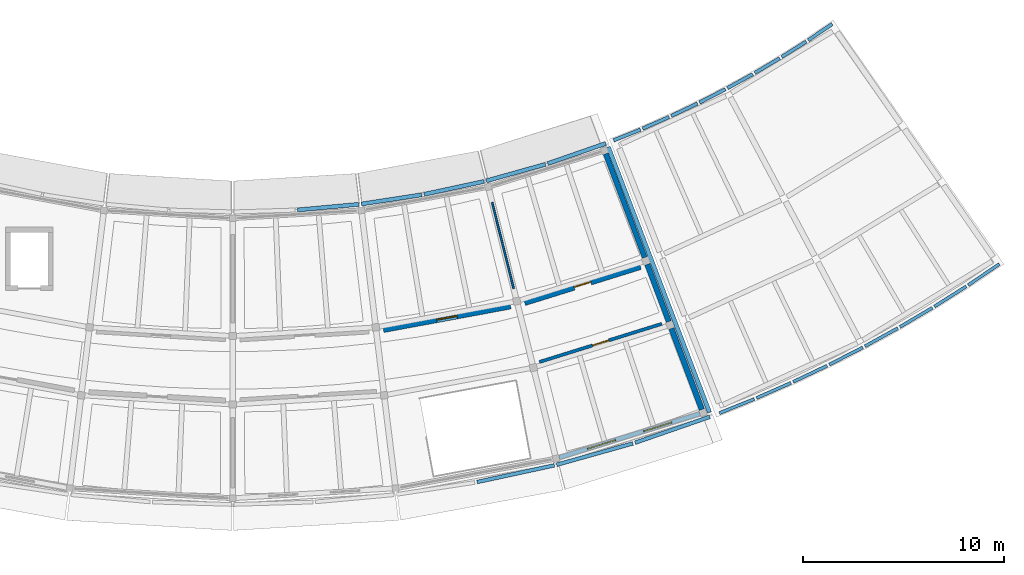
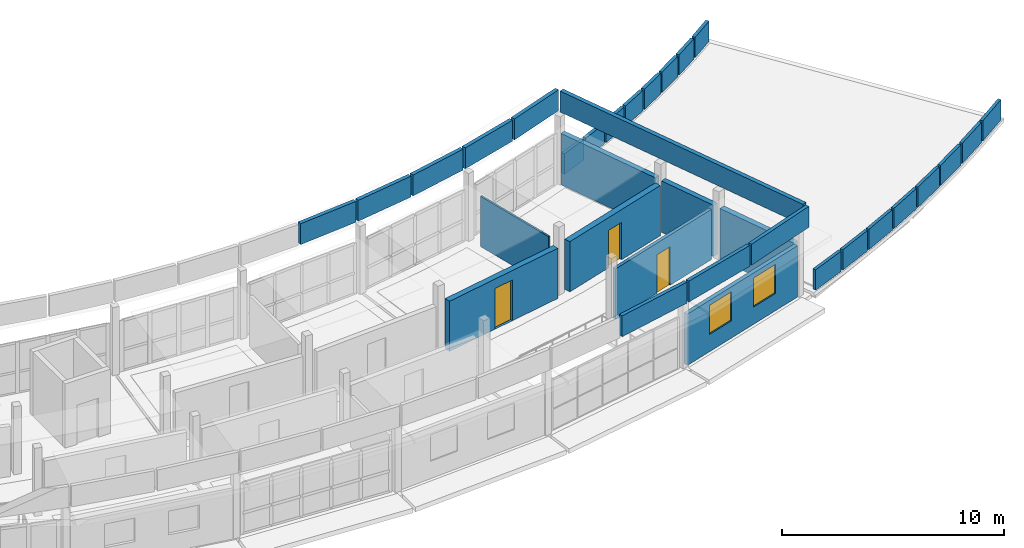
# One storey, part 10 of 12: 33 walls, 3 doors, 2 windows, 5 openings.
"""IFC4 building model written with IfcOpenShell, lengths in metres."""

from ifc_helpers import new_model, si_unit, direction, frame, frame_2d, origin, place, context, subcontext, project, spatial, rectangle, extrude, material, layer, layer_set, type_object, element, fill, save


model = new_model("IFC4")

# Units and contexts
model_context = context("Model", 3, precision=1e-05, world=origin(), true_north=direction((0.0, 1.0)))
body_context = subcontext(model_context, "Body", "Model", "MODEL_VIEW")
ifc_project = project(units=[si_unit("LENGTHUNIT", "METRE"), si_unit("AREAUNIT", "SQUARE_METRE"), si_unit("VOLUMEUNIT", "CUBIC_METRE"), si_unit("PLANEANGLEUNIT", "RADIAN"), si_unit("MASSUNIT", "GRAM", prefix="KILO")], contexts=[model_context])

# Site, building, storey
site_placement = place(None, origin())
site = spatial("IfcSite", under=ifc_project, at=site_placement, CompositionType="ELEMENT")
building_placement = place(site_placement, origin())
building = spatial("IfcBuilding", under=site, at=building_placement, Name="Caldaven Crescent School", CompositionType="ELEMENT")
storey_placement = place(building_placement, frame((0.0, 0.0, 19.3798828125)))
storey = spatial("IfcBuildingStorey", under=building, at=storey_placement, Name="L05", CompositionType="ELEMENT", Elevation=19.3798828125)

# Wall, openings, windows
ifc_material_1 = material(Name="Precast concrete C35/45", Category="concrete")
ifc_layer_1 = layer(ifc_material_1, 0.2041015625)
ifc_layer_set_1 = layer_set([ifc_layer_1], Name="Precast concrete C35/45")
wall_type_1 = type_object("IfcWallType", Name="WAL-EW02", PredefinedType="STANDARD", material=ifc_layer_set_1)
wall_1_placement = place(storey_placement, frame((104.2119140625, 31.6708984375, 0.0), z_axis=(0.0, 0.0, 1.0), x_axis=(0.954747645816, 0.297417102416, 0.0)))
wall_1 = element("IfcWall", 1, at=wall_1_placement, inside=storey, type_object=wall_type_1, Name="EW-L05-253", PredefinedType="STANDARD", context=body_context, shape_type="SweptSolid", body=[
    extrude(rectangle(XDim=7.30908203125, YDim=0.2041015625, at=frame_2d((3.654541015625, 0.0))), origin(), (0.0, 0.0, 1.0), 2.820068359375),
])
opening_1_placement = place(wall_1_placement, frame((1.462890625, 0.0, 0.949951171875)))
opening_1 = element("IfcOpeningElement", 2, at=opening_1_placement, cuts=wall_1, Name="Opening W16", PredefinedType="OPENING", context=body_context, shape_type="SweptSolid", body=[
    extrude(rectangle(XDim=1.4599609375, YDim=1.60009765625, at=frame_2d((0.72998046875, 0.800048828125))), frame((0.0, 0.112060546875, 0.0), z_axis=(0.0, -1.0, 0.0), x_axis=(1.0, 0.0, 0.0)), (0.0, 0.0, 1.0), 0.22412109375),
])
opening_2_placement = place(wall_1_placement, frame((4.385986328125, 0.0, 0.949951171875)))
opening_2 = element("IfcOpeningElement", 3, at=opening_2_placement, cuts=wall_1, Name="Opening W16", PredefinedType="OPENING", context=body_context, shape_type="SweptSolid", body=[
    extrude(rectangle(XDim=1.4599609375, YDim=1.60009765625, at=frame_2d((0.72998046875, 0.800048828125))), frame((0.0, 0.112060546875, 0.0), z_axis=(0.0, -1.0, 0.0), x_axis=(1.0, 0.0, 0.0)), (0.0, 0.0, 1.0), 0.22412109375),
])
ifc_material_2 = material(Name="Thermally broken anodised aluminium AA 6063-T6 and low-E double glazing", Category="aluminium")
window_type = type_object("IfcWindowType", Name="WIN-W16", PartitioningType="SINGLE_PANEL", PredefinedType="WINDOW", material=ifc_material_2)
window_1_placement = place(opening_1_placement, origin())
window_1 = element("IfcWindow", 4, at=window_1_placement, inside=storey, type_object=window_type, Name="WIN-L05-111-1", OverallHeight=1.60009765625, OverallWidth=1.4599609375, PartitioningType="SINGLE_PANEL", PredefinedType="WINDOW", context=body_context, shape_type="SweptSolid", body=[
    extrude(rectangle(XDim=1.4599609375, YDim=1.60009765625, at=frame_2d((0.72998046875, 0.800048828125))), frame((0.0, 0.030029296875, 0.0), z_axis=(0.0, -1.0, 0.0), x_axis=(1.0, 0.0, 0.0)), (0.0, 0.0, 1.0), 0.06005859375),
])
fill(opening_1, window_1)
window_2_placement = place(opening_2_placement, origin())
window_2 = element("IfcWindow", 5, at=window_2_placement, inside=storey, type_object=window_type, Name="WIN-L05-111-2", OverallHeight=1.60009765625, OverallWidth=1.4599609375, PartitioningType="SINGLE_PANEL", PredefinedType="WINDOW", context=body_context, shape_type="SweptSolid", body=[
    extrude(rectangle(XDim=1.4599609375, YDim=1.60009765625, at=frame_2d((0.72998046875, 0.800048828125))), frame((0.0, 0.030029296875, 0.0), z_axis=(0.0, -1.0, 0.0), x_axis=(1.0, 0.0, 0.0)), (0.0, 0.0, 1.0), 0.06005859375),
])
fill(opening_2, window_2)

# Walls
ifc_layer_2 = layer(ifc_material_1, 0.251953125)
ifc_layer_set_2 = layer_set([ifc_layer_2], Name="Precast concrete C35/45")
wall_type_2 = type_object("IfcWallType", Name="WAL-EW06", PredefinedType="STANDARD", material=ifc_layer_set_2)
wall_2_placement = place(storey_placement, frame((106.517822265625, 46.748291015625, 0.0), z_axis=(0.0, 0.0, 1.0), x_axis=(0.35193583719, -0.936024127094, 0.0)))
element("IfcWall", 6, at=wall_2_placement, inside=storey, type_object=wall_type_2, Name="EW-L05-257", PredefinedType="STANDARD", context=body_context, shape_type="SweptSolid", body=[
    extrude(rectangle(XDim=5.4990234375, YDim=0.251953125, at=frame_2d((2.74951171875, 0.0))), origin(), (0.0, 0.0, 1.0), 2.820068359375),
])
ifc_layer_3 = layer(ifc_material_1, 0.263916015625)
ifc_layer_set_3 = layer_set([ifc_layer_3], Name="Precast concrete C35/45")
wall_type_3 = type_object("IfcWallType", Name="WAL-EW07", PredefinedType="STANDARD", material=ifc_layer_set_3)
wall_3_placement = place(storey_placement, frame((108.58203125, 41.25830078125, 0.0), z_axis=(0.0, 0.0, 1.0), x_axis=(0.351899369392, -0.936037837815, 0.0)))
element("IfcWall", 7, at=wall_3_placement, inside=storey, type_object=wall_type_3, Name="EW-L05-258", PredefinedType="STANDARD", context=body_context, shape_type="SweptSolid", body=[
    extrude(rectangle(XDim=3.033935546875, YDim=0.263916015625, at=frame_2d((1.51708984375, 0.0))), origin(), (0.0, 0.0, 1.0), 2.820068359375),
])
ifc_layer_4 = layer(ifc_material_1, 0.27587890625)
ifc_layer_set_4 = layer_set([ifc_layer_4], Name="Precast concrete C35/45")
wall_type_4 = type_object("IfcWallType", Name="WAL-EW08", PredefinedType="STANDARD", material=ifc_layer_set_4)
wall_4_placement = place(storey_placement, frame((109.778564453125, 38.075927734375, 0.0), z_axis=(0.0, 0.0, 1.0), x_axis=(0.351932384448, -0.936025425283, 0.0)))
element("IfcWall", 8, at=wall_4_placement, inside=storey, type_object=wall_type_4, Name="EW-L05-259", PredefinedType="STANDARD", context=body_context, shape_type="SweptSolid", body=[
    extrude(rectangle(XDim=4.298828125, YDim=0.27587890625, at=frame_2d((2.1494140625, 0.0))), origin(), (0.0, 0.0, 1.0), 2.820068359375),
])

# Wall, opening, door
ifc_material_3 = material(Name="Acoustic timber-stud and fire-rated gypsum board assembly", Category="wood")
ifc_layer_5 = layer(ifc_material_3, 0.159912109375)
ifc_layer_set_5 = layer_set([ifc_layer_5], Name="Acoustic timber-stud and fire-rated gypsum board assembly")
wall_type_5 = type_object("IfcWallType", Name="WAL-IW01", PredefinedType="STANDARD", material=ifc_layer_set_5)
wall_5_placement = place(storey_placement, frame((103.226806640625, 36.41455078125, 0.0), z_axis=(0.0, 0.0, 1.0), x_axis=(0.954750390155, 0.297408292585, 0.0)))
wall_5 = element("IfcWall", 9, at=wall_5_placement, inside=storey, type_object=wall_type_5, Name="IW-L05-0304", PredefinedType="STANDARD", context=body_context, shape_type="SweptSolid", body=[
    extrude(rectangle(XDim=6.368408203125, YDim=0.159912109375, at=frame_2d((3.18408203125, 0.0))), origin(), (0.0, 0.0, 1.0), 2.760009765625),
])
opening_3_placement = place(wall_5_placement, frame((2.75439453125, 0.0, 0.0)))
opening_3 = element("IfcOpeningElement", 10, at=opening_3_placement, cuts=wall_5, Name="Opening D-L05-I221", PredefinedType="OPENING", context=body_context, shape_type="SweptSolid", body=[
    extrude(rectangle(XDim=0.860107421875, YDim=2.1201171875, at=frame_2d((0.43017578125, 1.06005859375))), frame((0.0, 0.08984375, 0.0), z_axis=(0.0, -1.0, 0.0), x_axis=(1.0, 0.0, 0.0)), (0.0, 0.0, 1.0), 0.179931640625),
])
ifc_material_4 = material(Name="Solid-core Pino Radiata acoustic timber leaf in steel frame", Category="steel")
door_type_1 = type_object("IfcDoorType", Name="DOR-ID02", OperationType="NOTDEFINED", PredefinedType="DOOR", material=ifc_material_4)
door_1_placement = place(opening_3_placement, origin())
door_1 = element("IfcDoor", 11, at=door_1_placement, inside=storey, type_object=door_type_1, Name="DOR-INT-L05-0221", OperationType="SINGLE_SWING_RIGHT", OverallHeight=2.1201171875, OverallWidth=0.860107421875, PredefinedType="DOOR", context=body_context, shape_type="SweptSolid", body=[
    extrude(rectangle(XDim=0.860107421875, YDim=2.1201171875, at=frame_2d((0.43017578125, 1.06005859375))), frame((0.0, 0.02490234375, 0.0), z_axis=(0.0, -1.0, 0.0), x_axis=(1.0, 0.0, 0.0)), (0.0, 0.0, 1.0), 0.050048828125),
])
fill(opening_3, door_1)

ifc_material_5 = material(Name="Autoclaved aerated concrete block masonry G5", Category="masonry")
ifc_layer_6 = layer(ifc_material_5, 0.300048828125)
ifc_layer_set_6 = layer_set([ifc_layer_6], Name="Autoclaved aerated concrete block masonry G5")
wall_type_6 = type_object("IfcWallType", Name="WAL-IW15", PredefinedType="STANDARD", material=ifc_layer_set_6)
wall_6_placement = place(storey_placement, frame((95.48095703125, 38.021484375, 0.0), z_axis=(0.0, 0.0, 1.0), x_axis=(0.983257031249, 0.182224066742, 0.0)))
wall_6 = element("IfcWall", 12, at=wall_6_placement, inside=storey, type_object=wall_type_6, Name="IW-L05-0302", PredefinedType="STANDARD", context=body_context, shape_type="SweptSolid", body=[
    extrude(rectangle(XDim=6.420166015625, YDim=0.300048828125, at=frame_2d((3.2099609375, 0.0))), origin(), (0.0, 0.0, 1.0), 2.760009765625),
])
opening_4_placement = place(wall_6_placement, frame((2.7001953125, 0.0, 0.0)))
opening_4 = element("IfcOpeningElement", 13, at=opening_4_placement, cuts=wall_6, Name="Opening D-L05-I219", PredefinedType="OPENING", context=body_context, shape_type="SweptSolid", body=[
    extrude(rectangle(XDim=1.02001953125, YDim=2.239990234375, at=frame_2d((0.510009765625, 1.1201171875))), frame((0.0, 0.159912109375, 0.0), z_axis=(0.0, -1.0, 0.0), x_axis=(1.0, 0.0, 0.0)), (0.0, 0.0, 1.0), 0.320068359375),
])
door_type_2 = type_object("IfcDoorType", Name="DOR-ID20", OperationType="NOTDEFINED", PredefinedType="DOOR", material=ifc_material_4)
door_2_placement = place(opening_4_placement, frame((1.02001953125, 0.0, 0.0), z_axis=(0.0, 0.0, 1.0), x_axis=(-1.0, 0.0, 0.0)))
door_2 = element("IfcDoor", 14, at=door_2_placement, inside=storey, type_object=door_type_2, Name="DOR-INT-L05-0219", OperationType="SINGLE_SWING_RIGHT", OverallHeight=2.239990234375, OverallWidth=1.02001953125, PredefinedType="DOOR", context=body_context, shape_type="SweptSolid", body=[
    extrude(rectangle(XDim=1.02001953125, YDim=2.239990234375, at=frame_2d((0.510009765625, 1.1201171875))), frame((0.0, 0.02490234375, 0.0), z_axis=(0.0, -1.0, 0.0), x_axis=(1.0, 0.0, 0.0)), (0.0, 0.0, 1.0), 0.050048828125),
])
fill(opening_4, door_2)

ifc_layer_7 = layer(ifc_material_5, 0.31005859375)
ifc_layer_set_7 = layer_set([ifc_layer_7], Name="Autoclaved aerated concrete block masonry G5")
wall_type_7 = type_object("IfcWallType", Name="WAL-IW16", PredefinedType="STANDARD", material=ifc_layer_set_7)
wall_7_placement = place(storey_placement, frame((102.4912109375, 39.3642578125, 0.0), z_axis=(0.0, 0.0, 1.0), x_axis=(0.954756741519, 0.297387902451, 0.0)))
wall_7 = element("IfcWall", 15, at=wall_7_placement, inside=storey, type_object=wall_type_7, Name="IW-L05-0303", PredefinedType="STANDARD", context=body_context, shape_type="SweptSolid", body=[
    extrude(rectangle(XDim=6.018310546875, YDim=0.31005859375, at=frame_2d((3.00927734375, 0.0))), origin(), (0.0, 0.0, 1.0), 2.760009765625),
])
opening_5_placement = place(wall_7_placement, frame((2.5791015625, 0.0, 0.0)))
opening_5 = element("IfcOpeningElement", 16, at=opening_5_placement, cuts=wall_7, Name="Opening D-L05-I220", PredefinedType="OPENING", context=body_context, shape_type="SweptSolid", body=[
    extrude(rectangle(XDim=0.860107421875, YDim=2.06005859375, at=frame_2d((0.43017578125, 1.030029296875))), frame((0.0, 0.1650390625, 0.0), z_axis=(0.0, -1.0, 0.0), x_axis=(1.0, 0.0, 0.0)), (0.0, 0.0, 1.0), 0.330078125),
])
door_type_3 = type_object("IfcDoorType", Name="DOR-ID01", OperationType="NOTDEFINED", PredefinedType="DOOR", material=ifc_material_4)
door_3_placement = place(opening_5_placement, frame((0.860107421875, 0.0, 0.0), z_axis=(0.0, 0.0, 1.0), x_axis=(-1.0, 0.0, 0.0)))
door_3 = element("IfcDoor", 17, at=door_3_placement, inside=storey, type_object=door_type_3, Name="DOR-INT-L05-0220", OperationType="SINGLE_SWING_LEFT", OverallHeight=2.06005859375, OverallWidth=0.860107421875, PredefinedType="DOOR", context=body_context, shape_type="SweptSolid", body=[
    extrude(rectangle(XDim=0.860107421875, YDim=2.06005859375, at=frame_2d((0.43017578125, 1.030029296875))), frame((0.0, 0.02490234375, 0.0), z_axis=(0.0, -1.0, 0.0), x_axis=(1.0, 0.0, 0.0)), (0.0, 0.0, 1.0), 0.050048828125),
])
fill(opening_5, door_3)

# Walls
ifc_layer_8 = layer(ifc_material_1, 0.155029296875)
ifc_layer_set_8 = layer_set([ifc_layer_8], Name="Precast concrete C35/45")
wall_type_8 = type_object("IfcWallType", Name="WAL-PRP01", PredefinedType="PARAPET", material=ifc_layer_set_8)
wall_8_placement = place(storey_placement, frame((112.16357421875, 33.874755859375, 0.0), z_axis=(0.0, 0.0, 1.0), x_axis=(0.926826595567, 0.375489629351, 0.0)))
element("IfcWall", 18, at=wall_8_placement, inside=storey, type_object=wall_type_8, Name="PRP-RF-L05-E-O0", PredefinedType="PARAPET", context=body_context, shape_type="SweptSolid", body=[
    extrude(rectangle(XDim=1.867431640625, YDim=0.155029296875, at=frame_2d((0.93359375, 0.0))), origin(), (0.0, 0.0, 1.0), 1.1201171875),
])
for number, where, z_axis, x_axis, name in (
    (19, (114.0048828125, 34.62255859375, 0.0), (0.0, 0.0, 1.0), (0.915191626235, 0.403018966388, 0.0), "PRP-RF-L05-E-O1"),
    (20, (115.822998046875, 35.425048828125, 0.0), (0.0, 0.0, 1.0), (0.902788015139, 0.430085805069, 0.0), "PRP-RF-L05-E-O2"),
    (21, (117.616455078125, 36.281494140625, 0.0), (0.0, 0.0, 1.0), (0.889591424125, 0.45675715443, 0.0), "PRP-RF-L05-E-O3"),
):
    element("IfcWall", number, at=place(storey_placement, frame(where, z_axis=z_axis, x_axis=x_axis)), inside=storey, type_object=wall_type_8, Name=name, PredefinedType="PARAPET", context=body_context, shape_type="SweptSolid", body=[
        extrude(rectangle(XDim=1.86767578125, YDim=0.155029296875, at=frame_2d((0.933837890625, 0.0))), origin(), (0.0, 0.0, 1.0), 1.1201171875),
    ])
for number, where, z_axis, x_axis, name in (
    (22, (119.3837890625, 37.19091796875, 0.0), (0.0, 0.0, 1.0), (0.87551666052, 0.483187931504, 0.0), "PRP-RF-L05-E-O4"),
    (23, (121.122802734375, 38.152587890625, 0.0), (0.0, 0.0, 1.0), (0.86072866591, 0.50906400745, 0.0), "PRP-RF-L05-E-O5"),
    (24, (122.832763671875, 39.165771484375, 0.0), (0.0, 0.0, 1.0), (0.845202976692, 0.534445439863, 0.0), "PRP-RF-L05-E-O6"),
):
    element("IfcWall", number, at=place(storey_placement, frame(where, z_axis=z_axis, x_axis=x_axis)), inside=storey, type_object=wall_type_8, Name=name, PredefinedType="PARAPET", context=body_context, shape_type="SweptSolid", body=[
        extrude(rectangle(XDim=1.867431640625, YDim=0.155029296875, at=frame_2d((0.93359375, 0.0))), origin(), (0.0, 0.0, 1.0), 1.1201171875),
    ])
wall_9_placement = place(storey_placement, frame((124.511474609375, 40.2294921875, 0.0), z_axis=(0.0, 0.0, 1.0), x_axis=(0.828919894734, 0.559367328429, 0.0)))
element("IfcWall", 25, at=wall_9_placement, inside=storey, type_object=wall_type_8, Name="PRP-RF-L05-E-O7", PredefinedType="PARAPET", context=body_context, shape_type="SweptSolid", body=[
    extrude(rectangle(XDim=1.86767578125, YDim=0.155029296875, at=frame_2d((0.933837890625, 0.0))), origin(), (0.0, 0.0, 1.0), 1.1201171875),
])
ifc_layer_9 = layer(ifc_material_1, 0.169921875)
ifc_layer_set_9 = layer_set([ifc_layer_9], Name="Precast concrete C35/45")
wall_type_9 = type_object("IfcWallType", Name="WAL-PRP02", PredefinedType="PARAPET", material=ifc_layer_set_9)
wall_10_placement = place(storey_placement, frame((106.912353515625, 47.411865234375, 0.0), z_axis=(0.0, 0.0, 1.0), x_axis=(0.926848133031, 0.375436463729, 0.0)))
element("IfcWall", 26, at=wall_10_placement, inside=storey, type_object=wall_type_9, Name="PRP-RF-L05-E-I0", PredefinedType="PARAPET", context=body_context, shape_type="SweptSolid", body=[
    extrude(rectangle(XDim=1.4345703125, YDim=0.169921875, at=frame_2d((0.71728515625, 0.0))), origin(), (0.0, 0.0, 1.0), 1.1201171875),
])
wall_11_placement = place(storey_placement, frame((108.3525390625, 47.997314453125, 0.0), z_axis=(0.0, 0.0, 1.0), x_axis=(0.915244742154, 0.402898327074, 0.0)))
element("IfcWall", 27, at=wall_11_placement, inside=storey, type_object=wall_type_9, Name="PRP-RF-L05-E-I1", PredefinedType="PARAPET", context=body_context, shape_type="SweptSolid", body=[
    extrude(rectangle(XDim=1.434326171875, YDim=0.169921875, at=frame_2d((0.71728515625, 0.0))), origin(), (0.0, 0.0, 1.0), 1.1201171875),
])
for number, where, z_axis, x_axis, name in (
    (28, (109.7744140625, 48.625244140625, 0.0), (0.0, 0.0, 1.0), (0.902807035558, 0.430045877258, 0.0), "PRP-RF-L05-E-I2"),
    (29, (111.177001953125, 49.29541015625, 0.0), (0.0, 0.0, 1.0), (0.88957636358, 0.456786485527, 0.0), "PRP-RF-L05-E-I3"),
    (30, (112.55908203125, 50.007080078125, 0.0), (0.0, 0.0, 1.0), (0.875550380167, 0.483126827851, 0.0), "PRP-RF-L05-E-I4"),
    (31, (113.919189453125, 50.759765625, 0.0), (0.0, 0.0, 1.0), (0.860763863235, 0.509004490893, 0.0), "PRP-RF-L05-E-I5"),
    (32, (115.25634765625, 51.552490234375, 0.0), (0.0, 0.0, 1.0), (0.845262375469, 0.534351491639, 0.0), "PRP-RF-L05-E-I6"),
    (33, (116.5693359375, 52.384765625, 0.0), (0.0, 0.0, 1.0), (0.828921661726, 0.559364709935, 0.0), "PRP-RF-L05-E-I7"),
):
    element("IfcWall", number, at=place(storey_placement, frame(where, z_axis=z_axis, x_axis=x_axis)), inside=storey, type_object=wall_type_9, Name=name, PredefinedType="PARAPET", context=body_context, shape_type="SweptSolid", body=[
        extrude(rectangle(XDim=1.4345703125, YDim=0.169921875, at=frame_2d((0.71728515625, 0.0))), origin(), (0.0, 0.0, 1.0), 1.1201171875),
    ])
ifc_layer_10 = layer(ifc_material_1, 0.18505859375)
ifc_layer_set_10 = layer_set([ifc_layer_10], Name="Precast concrete C35/45")
wall_type_10 = type_object("IfcWallType", Name="WAL-PRP03", PredefinedType="PARAPET", material=ifc_layer_set_10)
for number, where, z_axis, x_axis, name in (
    (34, (100.13134765625, 30.455078125, 3.740234375), (0.0, 0.0, 1.0), (0.977513001592, 0.210875156715, 0.0), "PRP-ROOF-OUT-09"),
    (35, (104.085205078125, 31.311767578125, 3.740234375), (0.0, 0.0, 1.0), (0.962928490483, 0.269756783449, 0.0), "PRP-ROOF-OUT-10"),
):
    element("IfcWall", number, at=place(storey_placement, frame(where, z_axis=z_axis, x_axis=x_axis)), inside=storey, type_object=wall_type_10, Name=name, PredefinedType="PARAPET", context=body_context, shape_type="SweptSolid", body=[
        extrude(rectangle(XDim=3.926025390625, YDim=0.18505859375, at=frame_2d((1.962890625, 0.0))), origin(), (0.0, 0.0, 1.0), 1.14990234375),
    ])
wall_12_placement = place(storey_placement, frame((107.980224609375, 32.40673828125, 3.740234375), z_axis=(0.0, 0.0, 1.0), x_axis=(0.944789228047, 0.327678675789, 0.0)))
element("IfcWall", 36, at=wall_12_placement, inside=storey, type_object=wall_type_10, Name="PRP-ROOF-OUT-11", PredefinedType="PARAPET", context=body_context, shape_type="SweptSolid", body=[
    extrude(rectangle(XDim=3.92578125, YDim=0.18505859375, at=frame_2d((1.962890625, 0.0))), origin(), (0.0, 0.0, 1.0), 1.14990234375),
])
ifc_layer_11 = layer(ifc_material_1, 0.199951171875)
ifc_layer_set_11 = layer_set([ifc_layer_11], Name="Precast concrete C35/45")
wall_type_11 = type_object("IfcWallType", Name="WAL-PRP04", PredefinedType="PARAPET", material=ifc_layer_set_11)
wall_13_placement = place(storey_placement, frame((91.222900390625, 43.96142578125, 3.740234375), z_axis=(0.0, 0.0, 1.0), x_axis=(0.995856976669, 0.090933393312, 0.0)))
element("IfcWall", 37, at=wall_13_placement, inside=storey, type_object=wall_type_11, Name="PRP-ROOF-IN-07", PredefinedType="PARAPET", context=body_context, shape_type="SweptSolid", body=[
    extrude(rectangle(XDim=3.044677734375, YDim=0.199951171875, at=frame_2d((1.5224609375, 0.0))), origin(), (0.0, 0.0, 1.0), 1.14990234375),
])
wall_14_placement = place(storey_placement, frame((94.3740234375, 44.2529296875, 3.740234375), z_axis=(0.0, 0.0, 1.0), x_axis=(0.988509421606, 0.151159265006, 0.0)))
element("IfcWall", 38, at=wall_14_placement, inside=storey, type_object=wall_type_11, Name="PRP-ROOF-IN-08", PredefinedType="PARAPET", context=body_context, shape_type="SweptSolid", body=[
    extrude(rectangle(XDim=3.04443359375, YDim=0.199951171875, at=frame_2d((1.522216796875, 0.0))), origin(), (0.0, 0.0, 1.0), 1.14990234375),
])
wall_15_placement = place(storey_placement, frame((97.50146484375, 44.73486328125, 3.740234375), z_axis=(0.0, 0.0, 1.0), x_axis=(0.977511646199, 0.210881439546, 0.0)))
element("IfcWall", 39, at=wall_15_placement, inside=storey, type_object=wall_type_11, Name="PRP-ROOF-IN-09", PredefinedType="PARAPET", context=body_context, shape_type="SweptSolid", body=[
    extrude(rectangle(XDim=3.044677734375, YDim=0.199951171875, at=frame_2d((1.5224609375, 0.0))), origin(), (0.0, 0.0, 1.0), 1.14990234375),
])
wall_16_placement = place(storey_placement, frame((100.59423828125, 45.40576171875, 3.740234375), z_axis=(0.0, 0.0, 1.0), x_axis=(0.96292736591, 0.269760797712, 0.0)))
element("IfcWall", 40, at=wall_16_placement, inside=storey, type_object=wall_type_11, Name="PRP-ROOF-IN-10", PredefinedType="PARAPET", context=body_context, shape_type="SweptSolid", body=[
    extrude(rectangle(XDim=3.04443359375, YDim=0.199951171875, at=frame_2d((1.522216796875, 0.0))), origin(), (0.0, 0.0, 1.0), 1.14990234375),
])
wall_17_placement = place(storey_placement, frame((103.640380859375, 46.262939453125, 3.740234375), z_axis=(0.0, 0.0, 1.0), x_axis=(0.944772320481, 0.327727420965, 0.0)))
element("IfcWall", 41, at=wall_17_placement, inside=storey, type_object=wall_type_11, Name="PRP-ROOF-IN-11", PredefinedType="PARAPET", context=body_context, shape_type="SweptSolid", body=[
    extrude(rectangle(XDim=3.044677734375, YDim=0.199951171875, at=frame_2d((1.5224609375, 0.0))), origin(), (0.0, 0.0, 1.0), 1.14990234375),
])
ifc_layer_12 = layer(ifc_material_1, 0.215087890625)
ifc_layer_set_12 = layer_set([ifc_layer_12], Name="Precast concrete C35/45")
wall_type_12 = type_object("IfcWallType", Name="WAL-PRP05", PredefinedType="PARAPET", material=ifc_layer_set_12)
wall_18_placement = place(storey_placement, frame((106.6484375, 47.084228515625, 3.740234375), z_axis=(0.0, 0.0, 1.0), x_axis=(0.356220686024, -0.934401852978, 0.0)))
element("IfcWall", 42, at=wall_18_placement, inside=storey, type_object=wall_type_12, Name="PRP-ROOF-END-E", PredefinedType="PARAPET", context=body_context, shape_type="SweptSolid", body=[
    extrude(rectangle(XDim=14.10009765625, YDim=0.215087890625, at=frame_2d((7.050048828125, 0.0))), origin(), (0.0, 0.0, 1.0), 1.14990234375),
])
ifc_material_6 = material(Name="Acoustic double-layer gypsum partition on galvanised steel studs", Category="steel")
ifc_layer_13 = layer(ifc_material_6, 0.092041015625)
ifc_layer_set_13 = layer_set([ifc_layer_13], Name="Acoustic double-layer gypsum partition on galvanised steel studs")
wall_type_13 = type_object("IfcWallType", Name="WAL-PT02", PredefinedType="PARTITIONING", material=ifc_layer_set_13)
wall_19_placement = place(storey_placement, frame((100.88232421875, 44.331787109375, 0.0), z_axis=(0.0, 0.0, 1.0), x_axis=(0.241921959033, -0.97029571046, 0.0)))
element("IfcWall", 43, at=wall_19_placement, inside=storey, type_object=wall_type_13, Name="IW-L05-0305", PredefinedType="PARTITIONING", context=body_context, shape_type="SweptSolid", body=[
    extrude(rectangle(XDim=4.39990234375, YDim=0.092041015625, at=frame_2d((2.199951171875, 0.0))), origin(), (0.0, 0.0, 1.0), 2.760009765625),
])

save(model, "model.ifc")
